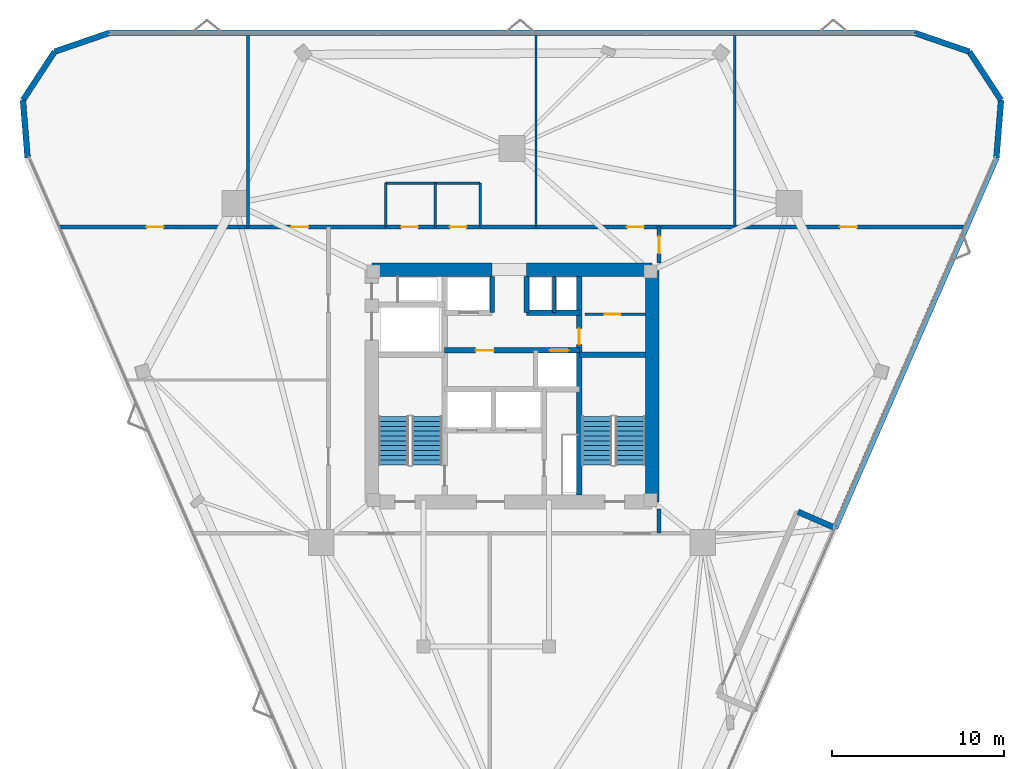
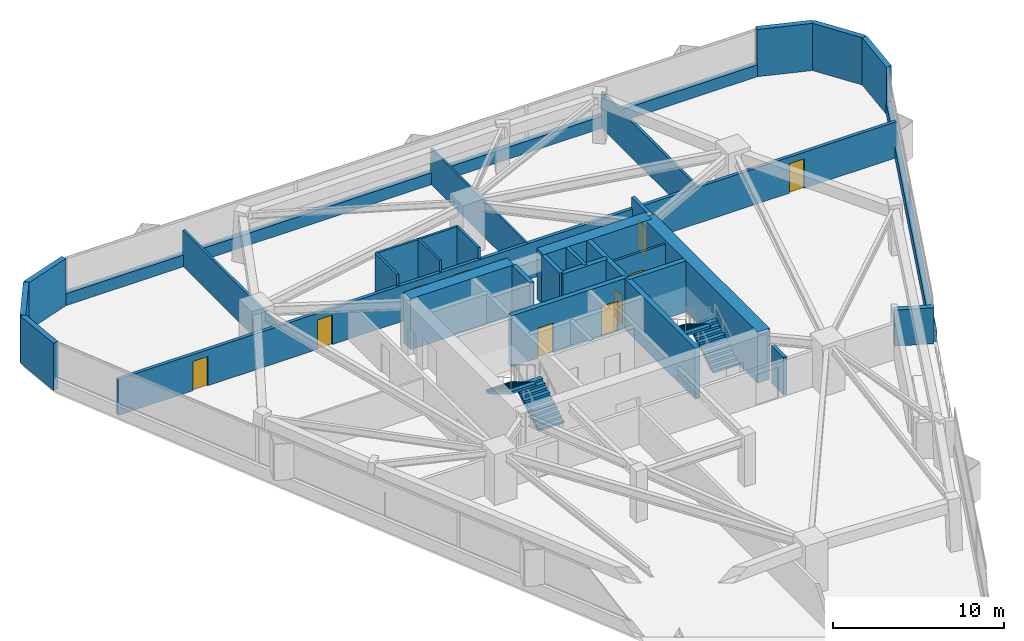
# One storey, part 10 of 11: 30 walls, 11 doors, 4 stair flights, 11 openings, 2 elements without a shape of their own.
"""IFC4 building model written with IfcOpenShell, lengths in metres."""

from ifc_helpers import new_model, si_unit, direction, frame, frame_2d, origin, place, context, subcontext, project, spatial, polyline, rectangle, outline, extrude, material, layer, layer_set, type_object, element, fill, aggregate, save


model = new_model("IFC4")

# Units and contexts
model_context = context("Model", 3, precision=1e-05, world=origin(), true_north=direction((0.0, 1.0)))
body_context = subcontext(model_context, "Body", "Model", "MODEL_VIEW")
ifc_project = project(units=[si_unit("LENGTHUNIT", "METRE"), si_unit("AREAUNIT", "SQUARE_METRE"), si_unit("VOLUMEUNIT", "CUBIC_METRE"), si_unit("PLANEANGLEUNIT", "RADIAN"), si_unit("MASSUNIT", "GRAM", prefix="KILO")], contexts=[model_context])

# Site, building, storey
site_placement = place(None, origin())
site = spatial("IfcSite", under=ifc_project, at=site_placement, CompositionType="ELEMENT")
building_placement = place(site_placement, origin())
building = spatial("IfcBuilding", under=site, at=building_placement, Name="Talyreon Biosciences Tower", CompositionType="ELEMENT")
storey_placement = place(building_placement, frame((0.0, 0.0, 149.10009765625)))
storey = spatial("IfcBuildingStorey", under=building, at=storey_placement, Name="L39", CompositionType="ELEMENT", Elevation=149.10009765625)

# Walls
ifc_material_1 = material(Name="Concrete C50/60", Category="concrete")
ifc_layer_1 = layer(ifc_material_1, 0.219970703125)
ifc_layer_set_1 = layer_set([ifc_layer_1], Name="Concrete C50/60")
wall_type_1 = type_object("IfcWallType", Name="CoreShearWall_220", PredefinedType="SHEAR", material=ifc_layer_set_1)
wall_1_placement = place(storey_placement, frame((68.4599609375, 72.25, 0.0), z_axis=(0.0, 0.0, 1.0), x_axis=(0.0, 1.0, 0.0)))
element("IfcWall", 1, at=wall_1_placement, inside=storey, type_object=wall_type_1, Name="L39 Core Shaft Wall SWPHD", PredefinedType="SHEAR", context=body_context, shape_type="SweptSolid", body=[
    extrude(rectangle(XDim=2.10009765625, YDim=0.219970703125, at=frame_2d((1.050048828125, 0.0))), origin(), (0.0, 0.0, 1.0), 3.64990234375),
])
ifc_layer_2 = layer(ifc_material_1, 0.280029296875)
ifc_layer_set_2 = layer_set([ifc_layer_2], Name="Concrete C50/60")
wall_type_2 = type_object("IfcWallType", Name="CoreShearWall_280", PredefinedType="SHEAR", material=ifc_layer_set_2)
for number, where, z_axis, x_axis, name in (
    (2, (64.85009765625, 72.25, 0.0), (0.0, 0.0, 1.0), (0.0, 1.0, 0.0), "L39 Core Shaft Wall SWTHW"),
    (3, (66.85009765625, 72.25, 0.0), (0.0, 0.0, 1.0), (0.0, 1.0, 0.0), "L39 Core Shaft Wall SWTHE"),
):
    element("IfcWall", number, at=place(storey_placement, frame(where, z_axis=z_axis, x_axis=x_axis)), inside=storey, type_object=wall_type_2, Name=name, PredefinedType="SHEAR", context=body_context, shape_type="SweptSolid", body=[
        extrude(rectangle(XDim=2.10009765625, YDim=0.280029296875, at=frame_2d((1.050048828125, 0.0))), origin(), (0.0, 0.0, 1.0), 3.64990234375),
    ])

# Wall, opening, door
ifc_layer_3 = layer(ifc_material_1, 0.320068359375)
ifc_layer_set_3 = layer_set([ifc_layer_3], Name="Concrete C50/60")
wall_type_3 = type_object("IfcWallType", Name="CoreShearWall_320", PredefinedType="SHEAR", material=ifc_layer_set_3)
wall_2_placement = place(storey_placement, frame((69.909912109375, 61.64990234375, 0.0), z_axis=(0.0, 0.0, 1.0), x_axis=(0.0, 1.0, 0.0)))
wall_2 = element("IfcWall", 4, at=wall_2_placement, inside=storey, type_object=wall_type_3, Name="L39 Core Shaft Wall SW2W", PredefinedType="SHEAR", context=body_context, shape_type="SweptSolid", body=[
    extrude(rectangle(XDim=12.7001953125, YDim=0.320068359375, at=frame_2d((6.35009765625, 0.0))), origin(), (0.0, 0.0, 1.0), 3.64990234375),
])
opening_1_placement = place(wall_2_placement, frame((8.75, 0.0, 0.0)))
opening_1 = element("IfcOpeningElement", 5, at=opening_1_placement, cuts=wall_2, Name="Opening DR-L39-CSRV", PredefinedType="OPENING", context=body_context, shape_type="SweptSolid", body=[
    extrude(rectangle(XDim=0.919921875, YDim=2.050048828125, at=frame_2d((0.4599609375, 1.02490234375))), frame((0.0, 0.169921875, 0.0), z_axis=(0.0, -1.0, 0.0), x_axis=(1.0, 0.0, 0.0)), (0.0, 0.0, 1.0), 0.340087890625),
])
ifc_material_2 = material(Name="Painted steel fire-rated riser door", Category="steel")
door_type_1 = type_object("IfcDoorType", Name="RiserPlantAccessDoor_920x2050", OperationType="NOTDEFINED", PredefinedType="DOOR", material=ifc_material_2)
door_1_placement = place(opening_1_placement, origin())
door_1 = element("IfcDoor", 6, at=door_1_placement, inside=storey, type_object=door_type_1, Name="L39 Core Door DR-L39-CSRV", OperationType="SINGLE_SWING_RIGHT", OverallHeight=2.050048828125, OverallWidth=0.919921875, PredefinedType="DOOR", context=body_context, shape_type="SweptSolid", body=[
    extrude(rectangle(XDim=0.919921875, YDim=2.050048828125, at=frame_2d((0.4599609375, 1.02490234375))), frame((0.0, 0.02490234375, 0.0), z_axis=(0.0, -1.0, 0.0), x_axis=(1.0, 0.0, 0.0)), (0.0, 0.0, 1.0), 0.050048828125),
])
fill(opening_1, door_1)

# Wall
wall_3_placement = place(storey_placement, frame((69.909912109375, 69.81005859375, 0.0), z_axis=(0.0, 0.0, 1.0), x_axis=(1.0, 0.0, 0.0)))
element("IfcWall", 7, at=wall_3_placement, inside=storey, type_object=wall_type_3, Name="L39 Core Shaft Wall SW2N", PredefinedType="SHEAR", context=body_context, shape_type="SweptSolid", body=[
    extrude(rectangle(XDim=3.840087890625, YDim=0.320068359375, at=frame_2d((1.919921875, 0.0))), origin(), (0.0, 0.0, 1.0), 3.64990234375),
])

# Wall, openings, doors
wall_4_placement = place(storey_placement, frame((62.090087890625, 70.050048828125, 0.0), z_axis=(0.0, 0.0, 1.0), x_axis=(1.0, 0.0, 0.0)))
wall_4 = element("IfcWall", 8, at=wall_4_placement, inside=storey, type_object=wall_type_3, Name="L39 Core Shaft Wall SWSPN", PredefinedType="SHEAR", context=body_context, shape_type="SweptSolid", body=[
    extrude(rectangle(XDim=7.81982421875, YDim=0.320068359375, at=frame_2d((3.909912109375, 0.0))), origin(), (0.0, 0.0, 1.0), 3.64990234375),
])
opening_2_placement = place(wall_4_placement, frame((1.800048828125, 0.0, 0.0)))
opening_2 = element("IfcOpeningElement", 9, at=opening_2_placement, cuts=wall_4, Name="Opening DR-L39-PLFREE-A", PredefinedType="OPENING", context=body_context, shape_type="SweptSolid", body=[
    extrude(rectangle(XDim=1.050048828125, YDim=2.14990234375, at=frame_2d((0.52490234375, 1.074951171875))), frame((0.0, 0.169921875, 0.0), z_axis=(0.0, -1.0, 0.0), x_axis=(1.0, 0.0, 0.0)), (0.0, 0.0, 1.0), 0.340087890625),
])
opening_3_placement = place(wall_4_placement, frame((6.10009765625, 0.0, 0.0)))
opening_3 = element("IfcOpeningElement", 10, at=opening_3_placement, cuts=wall_4, Name="Opening LD-L39-PM1", PredefinedType="OPENING", context=body_context, shape_type="SweptSolid", body=[
    extrude(rectangle(XDim=1.10009765625, YDim=2.199951171875, at=frame_2d((0.550048828125, 1.10009765625))), frame((0.0, 0.169921875, 0.0), z_axis=(0.0, -1.0, 0.0), x_axis=(1.0, 0.0, 0.0)), (0.0, 0.0, 1.0), 0.340087890625),
])
ifc_material_3 = material(Name="Acoustic timber-core laboratory door", Category="wood")
door_type_2 = type_object("IfcDoorType", Name="DryLabSingleDoor_1050x2150", OperationType="NOTDEFINED", PredefinedType="DOOR", material=ifc_material_3)
door_2_placement = place(opening_2_placement, origin())
door_2 = element("IfcDoor", 11, at=door_2_placement, inside=storey, type_object=door_type_2, Name="L39 Core Door DR-L39-PLFREE-A", OperationType="SINGLE_SWING_LEFT", OverallHeight=2.14990234375, OverallWidth=1.050048828125, PredefinedType="DOOR", context=body_context, shape_type="SweptSolid", body=[
    extrude(rectangle(XDim=1.050048828125, YDim=2.14990234375, at=frame_2d((0.52490234375, 1.074951171875))), frame((0.0, 0.02490234375, 0.0), z_axis=(0.0, -1.0, 0.0), x_axis=(1.0, 0.0, 0.0)), (0.0, 0.0, 1.0), 0.050048828125),
])
fill(opening_2, door_2)
ifc_material_4 = material(Name="Brushed stainless-steel lift landing door", Category="steel")
door_type_3 = type_object("IfcDoorType", Name="LiftSlidingLandingDoor_1100x2200", OperationType="SLIDING_TO_LEFT", PredefinedType="DOOR", material=ifc_material_4)
door_3_placement = place(opening_3_placement, origin())
door_3 = element("IfcDoor", 12, at=door_3_placement, inside=storey, type_object=door_type_3, Name="L39 Core Door LD-L39-PM1", OperationType="SLIDING_TO_LEFT", OverallHeight=2.199951171875, OverallWidth=1.10009765625, PredefinedType="DOOR", context=body_context, shape_type="SweptSolid", body=[
    extrude(rectangle(XDim=1.10009765625, YDim=2.199951171875, at=frame_2d((0.550048828125, 1.10009765625))), frame((0.0, 0.02490234375, 0.0), z_axis=(0.0, -1.0, 0.0), x_axis=(1.0, 0.0, 0.0)), (0.0, 0.0, 1.0), 0.050048828125),
])
fill(opening_3, door_3)

# Walls
wall_5_placement = place(storey_placement, frame((66.85009765625, 72.25, 0.0), z_axis=(0.0, 0.0, 1.0), x_axis=(1.0, 0.0, 0.0)))
element("IfcWall", 13, at=wall_5_placement, inside=storey, type_object=wall_type_3, Name="L39 Core Shaft Wall SWNPE", PredefinedType="SHEAR", context=body_context, shape_type="SweptSolid", body=[
    extrude(rectangle(XDim=3.059814453125, YDim=0.320068359375, at=frame_2d((1.52978515625, 0.0))), origin(), (0.0, 0.0, 1.0), 3.64990234375),
])
ifc_material_5 = material(Name="Concrete C60/75", Category="concrete")
ifc_layer_4 = layer(ifc_material_5, 0.800048828125)
ifc_layer_set_4 = layer_set([ifc_layer_4], Name="Concrete C60/75")
wall_type_4 = type_object("IfcWallType", Name="CoreShearWall_800", PredefinedType="SHEAR", material=ifc_layer_set_4)
wall_6_placement = place(storey_placement, frame((74.14990234375, 61.25, 0.0), z_axis=(0.0, 0.0, 1.0), x_axis=(0.0, 1.0, 0.0)))
element("IfcWall", 14, at=wall_6_placement, inside=storey, type_object=wall_type_4, Name="L39 Core Shear Wall E", PredefinedType="SHEAR", context=body_context, shape_type="SweptSolid", body=[
    extrude(rectangle(XDim=13.5, YDim=0.800048828125, at=frame_2d((6.75, 0.0))), origin(), (0.0, 0.0, 1.0), 3.64990234375),
])
wall_7_placement = place(storey_placement, frame((74.14990234375, 74.75, 0.0), z_axis=(0.0, 0.0, 1.0), x_axis=(-1.0, 0.0, 0.0)))
element("IfcWall", 15, at=wall_7_placement, inside=storey, type_object=wall_type_4, Name="L39 Core Shear Wall NE", PredefinedType="SHEAR", context=body_context, shape_type="SweptSolid", body=[
    extrude(rectangle(XDim=7.2998046875, YDim=0.800048828125, at=frame_2d((3.64990234375, 0.0))), origin(), (0.0, 0.0, 1.0), 3.64990234375),
])
wall_8_placement = place(storey_placement, frame((64.85009765625, 74.75, 0.0), z_axis=(0.0, 0.0, 1.0), x_axis=(-1.0, 0.0, 0.0)))
element("IfcWall", 16, at=wall_8_placement, inside=storey, type_object=wall_type_4, Name="L39 Core Shear Wall NW", PredefinedType="SHEAR", context=body_context, shape_type="SweptSolid", body=[
    extrude(rectangle(XDim=7.0, YDim=0.800048828125, at=frame_2d((3.5, 0.0))), origin(), (0.0, 0.0, 1.0), 3.64990234375),
])

# Wall, openings, doors
ifc_material_6 = material(Name="Gypsum fireboard acoustic stud", Category="gypsum")
ifc_layer_5 = layer(ifc_material_6, 0.219970703125)
ifc_layer_set_5 = layer_set([ifc_layer_5], Name="Gypsum fireboard acoustic stud")
wall_type_5 = type_object("IfcWallType", Name="CorridorRatedPartition_220", PredefinedType="PARTITIONING", material=ifc_layer_set_5)
wall_9_placement = place(storey_placement, frame((39.682861328125, 77.22998046875, 0.0), z_axis=(0.0, 0.0, 1.0), x_axis=(1.0, 0.0, 0.0)))
wall_9 = element("IfcWall", 17, at=wall_9_placement, inside=storey, type_object=wall_type_5, Name="L39 Interior Wall IW-L39-COR-N", PredefinedType="PARTITIONING", context=body_context, shape_type="SweptSolid", body=[
    extrude(rectangle(XDim=52.63427734375, YDim=0.219970703125, at=frame_2d((26.317138671875, 0.0))), origin(), (0.0, 0.0, 1.0), 2.574951171875),
])
opening_4_placement = place(wall_9_placement, frame((19.876953125, 0.0, 0.0)))
opening_4 = element("IfcOpeningElement", 18, at=opening_4_placement, cuts=wall_9, Name="Opening DR-L39-WC", PredefinedType="OPENING", context=body_context, shape_type="SweptSolid", body=[
    extrude(rectangle(XDim=0.97998046875, YDim=2.10009765625, at=frame_2d((0.489990234375, 1.050048828125))), frame((0.0, 0.119873046875, 0.0), z_axis=(0.0, -1.0, 0.0), x_axis=(1.0, 0.0, 0.0)), (0.0, 0.0, 1.0), 0.239990234375),
])
opening_5_placement = place(wall_9_placement, frame((22.701904296875, 0.0, 0.0)))
opening_5 = element("IfcOpeningElement", 19, at=opening_5_placement, cuts=wall_9, Name="Opening DR-L39-AWC", PredefinedType="OPENING", context=body_context, shape_type="SweptSolid", body=[
    extrude(rectangle(XDim=0.97998046875, YDim=2.10009765625, at=frame_2d((0.489990234375, 1.050048828125))), frame((0.0, 0.119873046875, 0.0), z_axis=(0.0, -1.0, 0.0), x_axis=(1.0, 0.0, 0.0)), (0.0, 0.0, 1.0), 0.239990234375),
])
opening_6_placement = place(wall_9_placement, frame((5.06201171875, 0.0, 0.0)))
opening_6 = element("IfcOpeningElement", 20, at=opening_6_placement, cuts=wall_9, Name="Opening DR-L39-N1A", PredefinedType="OPENING", context=body_context, shape_type="SweptSolid", body=[
    extrude(rectangle(XDim=1.0, YDim=2.10009765625, at=frame_2d((0.5, 1.050048828125))), frame((0.0, 0.119873046875, 0.0), z_axis=(0.0, -1.0, 0.0), x_axis=(1.0, 0.0, 0.0)), (0.0, 0.0, 1.0), 0.239990234375),
])
opening_7_placement = place(wall_9_placement, frame((13.47412109375, 0.0, 0.0)))
opening_7 = element("IfcOpeningElement", 21, at=opening_7_placement, cuts=wall_9, Name="Opening DR-L39-N2A", PredefinedType="OPENING", context=body_context, shape_type="SweptSolid", body=[
    extrude(rectangle(XDim=1.0, YDim=2.10009765625, at=frame_2d((0.5, 1.050048828125))), frame((0.0, 0.119873046875, 0.0), z_axis=(0.0, -1.0, 0.0), x_axis=(1.0, 0.0, 0.0)), (0.0, 0.0, 1.0), 0.239990234375),
])
opening_8_placement = place(wall_9_placement, frame((32.989013671875, 0.0, 0.0)))
opening_8 = element("IfcOpeningElement", 22, at=opening_8_placement, cuts=wall_9, Name="Opening DR-L39-N3A", PredefinedType="OPENING", context=body_context, shape_type="SweptSolid", body=[
    extrude(rectangle(XDim=1.0, YDim=2.10009765625, at=frame_2d((0.5, 1.050048828125))), frame((0.0, 0.119873046875, 0.0), z_axis=(0.0, -1.0, 0.0), x_axis=(1.0, 0.0, 0.0)), (0.0, 0.0, 1.0), 0.239990234375),
])
opening_9_placement = place(wall_9_placement, frame((45.373046875, 0.0, 0.0)))
opening_9 = element("IfcOpeningElement", 23, at=opening_9_placement, cuts=wall_9, Name="Opening DR-L39-N4A", PredefinedType="OPENING", context=body_context, shape_type="SweptSolid", body=[
    extrude(rectangle(XDim=1.0, YDim=2.10009765625, at=frame_2d((0.5, 1.050048828125))), frame((0.0, 0.119873046875, 0.0), z_axis=(0.0, -1.0, 0.0), x_axis=(1.0, 0.0, 0.0)), (0.0, 0.0, 1.0), 0.239990234375),
])
ifc_material_7 = material(Name="Laminate moisture-resistant door", Category="wood")
door_type_4 = type_object("IfcDoorType", Name="AccessibleToiletDoor_980x2100", OperationType="NOTDEFINED", PredefinedType="DOOR", material=ifc_material_7)
door_4_placement = place(opening_4_placement, origin())
door_4 = element("IfcDoor", 24, at=door_4_placement, inside=storey, type_object=door_type_4, Name="L39 Interior Door DR-L39-WC", OperationType="SINGLE_SWING_LEFT", OverallHeight=2.10009765625, OverallWidth=0.97998046875, PredefinedType="DOOR", context=body_context, shape_type="SweptSolid", body=[
    extrude(rectangle(XDim=0.97998046875, YDim=2.10009765625, at=frame_2d((0.489990234375, 1.050048828125))), frame((0.0, 0.02490234375, 0.0), z_axis=(0.0, -1.0, 0.0), x_axis=(1.0, 0.0, 0.0)), (0.0, 0.0, 1.0), 0.050048828125),
])
fill(opening_4, door_4)
door_5_placement = place(opening_5_placement, origin())
door_5 = element("IfcDoor", 25, at=door_5_placement, inside=storey, type_object=door_type_4, Name="L39 Interior Door DR-L39-AWC", OperationType="SINGLE_SWING_RIGHT", OverallHeight=2.10009765625, OverallWidth=0.97998046875, PredefinedType="DOOR", context=body_context, shape_type="SweptSolid", body=[
    extrude(rectangle(XDim=0.97998046875, YDim=2.10009765625, at=frame_2d((0.489990234375, 1.050048828125))), frame((0.0, 0.02490234375, 0.0), z_axis=(0.0, -1.0, 0.0), x_axis=(1.0, 0.0, 0.0)), (0.0, 0.0, 1.0), 0.050048828125),
])
fill(opening_5, door_5)
ifc_material_8 = material(Name="Acoustic oak veneer office door", Category="wood")
door_type_5 = type_object("IfcDoorType", Name="WriteupOfficeDoor_1000x2100", OperationType="NOTDEFINED", PredefinedType="DOOR", material=ifc_material_8)
door_6_placement = place(opening_6_placement, origin())
door_6 = element("IfcDoor", 26, at=door_6_placement, inside=storey, type_object=door_type_5, Name="L39 Interior Door DR-L39-N1A", OperationType="SINGLE_SWING_LEFT", OverallHeight=2.10009765625, OverallWidth=1.0, PredefinedType="DOOR", context=body_context, shape_type="SweptSolid", body=[
    extrude(rectangle(XDim=1.0, YDim=2.10009765625, at=frame_2d((0.5, 1.050048828125))), frame((0.0, 0.02490234375, 0.0), z_axis=(0.0, -1.0, 0.0), x_axis=(1.0, 0.0, 0.0)), (0.0, 0.0, 1.0), 0.050048828125),
])
fill(opening_6, door_6)
door_7_placement = place(opening_7_placement, origin())
door_7 = element("IfcDoor", 27, at=door_7_placement, inside=storey, type_object=door_type_5, Name="L39 Interior Door DR-L39-N2A", OperationType="SINGLE_SWING_RIGHT", OverallHeight=2.10009765625, OverallWidth=1.0, PredefinedType="DOOR", context=body_context, shape_type="SweptSolid", body=[
    extrude(rectangle(XDim=1.0, YDim=2.10009765625, at=frame_2d((0.5, 1.050048828125))), frame((0.0, 0.02490234375, 0.0), z_axis=(0.0, -1.0, 0.0), x_axis=(1.0, 0.0, 0.0)), (0.0, 0.0, 1.0), 0.050048828125),
])
fill(opening_7, door_7)
door_8_placement = place(opening_8_placement, origin())
door_8 = element("IfcDoor", 28, at=door_8_placement, inside=storey, type_object=door_type_5, Name="L39 Interior Door DR-L39-N3A", OperationType="SINGLE_SWING_RIGHT", OverallHeight=2.10009765625, OverallWidth=1.0, PredefinedType="DOOR", context=body_context, shape_type="SweptSolid", body=[
    extrude(rectangle(XDim=1.0, YDim=2.10009765625, at=frame_2d((0.5, 1.050048828125))), frame((0.0, 0.02490234375, 0.0), z_axis=(0.0, -1.0, 0.0), x_axis=(1.0, 0.0, 0.0)), (0.0, 0.0, 1.0), 0.050048828125),
])
fill(opening_8, door_8)
door_9_placement = place(opening_9_placement, origin())
door_9 = element("IfcDoor", 29, at=door_9_placement, inside=storey, type_object=door_type_5, Name="L39 Interior Door DR-L39-N4A", OperationType="SINGLE_SWING_LEFT", OverallHeight=2.10009765625, OverallWidth=1.0, PredefinedType="DOOR", context=body_context, shape_type="SweptSolid", body=[
    extrude(rectangle(XDim=1.0, YDim=2.10009765625, at=frame_2d((0.5, 1.050048828125))), frame((0.0, 0.02490234375, 0.0), z_axis=(0.0, -1.0, 0.0), x_axis=(1.0, 0.0, 0.0)), (0.0, 0.0, 1.0), 0.050048828125),
])
fill(opening_9, door_9)

# Wall, opening, door
wall_10_placement = place(storey_placement, frame((74.550048828125, 75.14990234375, 0.0), z_axis=(0.0, 0.0, 1.0), x_axis=(0.0, 1.0, 0.0)))
wall_10 = element("IfcWall", 30, at=wall_10_placement, inside=storey, type_object=wall_type_5, Name="L39 Interior Wall IW-L39-ECAP-N", PredefinedType="PARTITIONING", context=body_context, shape_type="SweptSolid", body=[
    extrude(rectangle(XDim=2.080078125, YDim=0.219970703125, at=frame_2d((1.0400390625, 0.0))), origin(), (0.0, 0.0, 1.0), 3.375),
])
opening_10_placement = place(wall_10_placement, frame((0.5400390625, 0.0, 0.0)))
opening_10 = element("IfcOpeningElement", 31, at=opening_10_placement, cuts=wall_10, Name="Opening DR-L39-E1A", PredefinedType="OPENING", context=body_context, shape_type="SweptSolid", body=[
    extrude(rectangle(XDim=1.0, YDim=2.10009765625, at=frame_2d((0.5, 1.050048828125))), frame((0.0, 0.119873046875, 0.0), z_axis=(0.0, -1.0, 0.0), x_axis=(1.0, 0.0, 0.0)), (0.0, 0.0, 1.0), 0.239990234375),
])
door_10_placement = place(opening_10_placement, origin())
door_10 = element("IfcDoor", 32, at=door_10_placement, inside=storey, type_object=door_type_5, Name="L39 Interior Door DR-L39-E1A", OperationType="SINGLE_SWING_LEFT", OverallHeight=2.10009765625, OverallWidth=1.0, PredefinedType="DOOR", context=body_context, shape_type="SweptSolid", body=[
    extrude(rectangle(XDim=1.0, YDim=2.10009765625, at=frame_2d((0.5, 1.050048828125))), frame((0.0, 0.02490234375, 0.0), z_axis=(0.0, -1.0, 0.0), x_axis=(1.0, 0.0, 0.0)), (0.0, 0.0, 1.0), 0.050048828125),
])
fill(opening_10, door_10)

# Wall
wall_11_placement = place(storey_placement, frame((74.550048828125, 59.429931640625, 0.0), z_axis=(0.0, 0.0, 1.0), x_axis=(0.0, 1.0, 0.0)))
element("IfcWall", 33, at=wall_11_placement, inside=storey, type_object=wall_type_5, Name="L39 Interior Wall IW-L39-ECAP-S", PredefinedType="PARTITIONING", context=body_context, shape_type="SweptSolid", body=[
    extrude(rectangle(XDim=1.420166015625, YDim=0.219970703125, at=frame_2d((0.7099609375, 0.0))), origin(), (0.0, 0.0, 1.0), 2.704833984375),
])

# Wall, opening, door
ifc_material_9 = material(Name="Gypsum acoustic stud partition", Category="gypsum")
ifc_layer_6 = layer(ifc_material_9, 0.159912109375)
ifc_layer_set_6 = layer_set([ifc_layer_6], Name="Gypsum acoustic stud partition")
wall_type_6 = type_object("IfcWallType", Name="LabSeparationPartition_160", PredefinedType="PARTITIONING", material=ifc_layer_set_6)
wall_12_placement = place(storey_placement, frame((70.22998046875, 72.14990234375, 0.0), z_axis=(0.0, 0.0, 1.0), x_axis=(1.0, 0.0, 0.0)))
wall_12 = element("IfcWall", 34, at=wall_12_placement, inside=storey, type_object=wall_type_6, Name="L39 Interior Wall IW-L39-CSRV-H", PredefinedType="PARTITIONING", context=body_context, shape_type="SweptSolid", body=[
    extrude(rectangle(XDim=3.52001953125, YDim=0.159912109375, at=frame_2d((1.760009765625, 0.0))), origin(), (0.0, 0.0, 1.0), 3.375),
])
opening_11_placement = place(wall_12_placement, frame((1.14990234375, 0.0, 0.0)))
opening_11 = element("IfcOpeningElement", 35, at=opening_11_placement, cuts=wall_12, Name="Opening DR-L39-CSRV-I", PredefinedType="OPENING", context=body_context, shape_type="SweptSolid", body=[
    extrude(rectangle(XDim=0.919921875, YDim=2.050048828125, at=frame_2d((0.4599609375, 1.02490234375))), frame((0.0, 0.08984375, 0.0), z_axis=(0.0, -1.0, 0.0), x_axis=(1.0, 0.0, 0.0)), (0.0, 0.0, 1.0), 0.179931640625),
])
door_11_placement = place(opening_11_placement, origin())
door_11 = element("IfcDoor", 36, at=door_11_placement, inside=storey, type_object=door_type_1, Name="L39 Interior Door DR-L39-CSRV-I", OperationType="SINGLE_SWING_LEFT", OverallHeight=2.050048828125, OverallWidth=0.919921875, PredefinedType="DOOR", context=body_context, shape_type="SweptSolid", body=[
    extrude(rectangle(XDim=0.919921875, YDim=2.050048828125, at=frame_2d((0.4599609375, 1.02490234375))), frame((0.0, 0.02490234375, 0.0), z_axis=(0.0, -1.0, 0.0), x_axis=(1.0, 0.0, 0.0)), (0.0, 0.0, 1.0), 0.050048828125),
])
fill(opening_11, door_11)

# Walls
for number, where, z_axis, x_axis, name in (
    (37, (50.656005859375, 77.22998046875, 0.0), (0.0, 0.0, 1.0), (0.0, 1.0, 0.0), "L39 Interior Wall IW-L39-NDIV1"),
    (38, (78.944091796875, 77.22998046875, 0.0), (0.0, 0.0, 1.0), (0.0, 1.0, 0.0), "L39 Interior Wall IW-L39-NDIV3"),
):
    element("IfcWall", number, at=place(storey_placement, frame(where, z_axis=z_axis, x_axis=x_axis)), inside=storey, type_object=wall_type_6, Name=name, PredefinedType="PARTITIONING", context=body_context, shape_type="SweptSolid", body=[
        extrude(rectangle(XDim=11.204345703125, YDim=0.159912109375, at=frame_2d((5.60205078125, 0.0))), origin(), (0.0, 0.0, 1.0), 2.574951171875),
    ])
ifc_layer_7 = layer(ifc_material_9, 0.1298828125)
ifc_layer_set_7 = layer_set([ifc_layer_7], Name="Gypsum acoustic stud partition")
wall_type_7 = type_object("IfcWallType", Name="OfficeWriteupPartition_130", PredefinedType="PARTITIONING", material=ifc_layer_set_7)
wall_13_placement = place(storey_placement, frame((67.39990234375, 77.22998046875, 0.0), z_axis=(0.0, 0.0, 1.0), x_axis=(0.0, 1.0, 0.0)))
element("IfcWall", 39, at=wall_13_placement, inside=storey, type_object=wall_type_7, Name="L39 Interior Wall IW-L39-NDIV2", PredefinedType="PARTITIONING", context=body_context, shape_type="SweptSolid", body=[
    extrude(rectangle(XDim=11.204345703125, YDim=0.1298828125, at=frame_2d((5.60205078125, 0.0))), origin(), (0.0, 0.0, 1.0), 2.574951171875),
])
ifc_material_10 = material(Name="Precast concrete C45/55", Category="concrete")
ifc_layer_8 = layer(ifc_material_10, 0.340087890625)
ifc_layer_set_8 = layer_set([ifc_layer_8], Name="Precast concrete C45/55")
wall_type_8 = type_object("IfcWallType", Name="PrecastConcreteSpandrelWall_340", PredefinedType="STANDARD", material=ifc_layer_set_8)
for number, where, z_axis, x_axis, name in (
    (40, (37.841064453125, 81.240966796875, 0.0), (0.0, 0.0, 1.0), (-0.080769230079, 0.996732828532, 0.0), "L39 Rounded-Corner Concrete Pier 00"),
    (41, (37.568603515625, 84.603271484375, 0.0), (0.0, 0.0, 1.0), (0.547867350875, 0.836565219123, 0.0), "L39 Rounded-Corner Concrete Pier 01"),
    (42, (39.416748046875, 87.42529296875, 0.0), (0.0, 0.0, 1.0), (0.94594911795, 0.324315072497, 0.0), "L39 Rounded-Corner Concrete Pier 02"),
):
    element("IfcWall", number, at=place(storey_placement, frame(where, z_axis=z_axis, x_axis=x_axis)), inside=storey, type_object=wall_type_8, Name=name, PredefinedType="STANDARD", context=body_context, shape_type="SweptSolid", body=[
        extrude(rectangle(XDim=3.373291015625, YDim=0.340087890625, at=frame_2d((1.6865234375, 0.0))), origin(), (0.0, 0.0, 1.0), 3.375),
    ])
wall_14_placement = place(storey_placement, frame((42.607666015625, 88.519287109375, 0.0), z_axis=(0.0, 0.0, 1.0), x_axis=(1.0, 0.0, 0.0)))
element("IfcWall", 43, at=wall_14_placement, inside=storey, type_object=wall_type_8, Name="L39 Expressed Concrete Sill Wall 03", PredefinedType="STANDARD", context=body_context, shape_type="SweptSolid", body=[
    extrude(rectangle(XDim=46.78466796875, YDim=0.340087890625, at=frame_2d((23.392333984375, 0.0))), origin(), (0.0, 0.0, 1.0), 0.849853515625),
])
for number, where, z_axis, x_axis, name in (
    (44, (89.392333984375, 88.519287109375, 0.0), (0.0, 0.0, 1.0), (0.94594911795, -0.324315072497, 0.0), "L39 Rounded-Corner Concrete Pier 04"),
    (45, (92.583251953125, 87.42529296875, 0.0), (0.0, 0.0, 1.0), (0.547867350875, -0.836565219123, 0.0), "L39 Rounded-Corner Concrete Pier 05"),
    (46, (94.431396484375, 84.603271484375, 0.0), (0.0, 0.0, 1.0), (-0.080769230079, -0.996732828532, 0.0), "L39 Rounded-Corner Concrete Pier 06"),
):
    element("IfcWall", number, at=place(storey_placement, frame(where, z_axis=z_axis, x_axis=x_axis)), inside=storey, type_object=wall_type_8, Name=name, PredefinedType="STANDARD", context=body_context, shape_type="SweptSolid", body=[
        extrude(rectangle(XDim=3.373291015625, YDim=0.340087890625, at=frame_2d((1.6865234375, 0.0))), origin(), (0.0, 0.0, 1.0), 3.375),
    ])
wall_15_placement = place(storey_placement, frame((94.158935546875, 81.240966796875, 0.0), z_axis=(0.0, 0.0, 1.0), x_axis=(-0.399698418424, -0.916646700921, 0.0)))
element("IfcWall", 47, at=wall_15_placement, inside=storey, type_object=wall_type_8, Name="L39 Expressed Concrete Sill Wall 07", PredefinedType="STANDARD", context=body_context, shape_type="SweptSolid", body=[
    extrude(rectangle(XDim=23.46240234375, YDim=0.340087890625, at=frame_2d((11.731201171875, 0.0))), origin(), (0.0, 0.0, 1.0), 0.849853515625),
])
wall_16_placement = place(storey_placement, frame((84.781005859375, 59.734130859375, 0.0), z_axis=(0.0, 0.0, 1.0), x_axis=(-0.916654976367, 0.399679439429, 0.0)))
element("IfcWall", 48, at=wall_16_placement, inside=storey, type_object=wall_type_8, Name="L39 Terrace Backing Concrete Wall 08", PredefinedType="STANDARD", context=body_context, shape_type="SweptSolid", body=[
    extrude(rectangle(XDim=2.349853515625, YDim=0.340087890625, at=frame_2d((1.1748046875, 0.0))), origin(), (0.0, 0.0, 1.0), 2.574951171875),
])
ifc_material_11 = material(Name="Moisture-resistant cement-board stud", Category="gypsum")
ifc_layer_9 = layer(ifc_material_11, 0.14501953125)
ifc_layer_set_9 = layer_set([ifc_layer_9], Name="Moisture-resistant cement-board stud")
wall_type_9 = type_object("IfcWallType", Name="WetRoomPartition_145", PredefinedType="PARTITIONING", material=ifc_layer_set_9)
for number, where, z_axis, x_axis, name in (
    (49, (58.64990234375, 77.22998046875, 0.0), (0.0, 0.0, 1.0), (0.0, 1.0, 0.0), "L39 Interior Wall IW-L39-WCL"),
    (50, (61.52490234375, 77.22998046875, 0.0), (0.0, 0.0, 1.0), (0.0, 1.0, 0.0), "L39 Interior Wall IW-L39-WCM"),
    (51, (64.14990234375, 77.22998046875, 0.0), (0.0, 0.0, 1.0), (0.0, 1.0, 0.0), "L39 Interior Wall IW-L39-WCR"),
):
    element("IfcWall", number, at=place(storey_placement, frame(where, z_axis=z_axis, x_axis=x_axis)), inside=storey, type_object=wall_type_9, Name=name, PredefinedType="PARTITIONING", context=body_context, shape_type="SweptSolid", body=[
        extrude(rectangle(XDim=2.550048828125, YDim=0.14501953125, at=frame_2d((1.27490234375, 0.0))), origin(), (0.0, 0.0, 1.0), 3.375),
    ])
wall_17_placement = place(storey_placement, frame((58.64990234375, 79.780029296875, 0.0), z_axis=(0.0, 0.0, 1.0), x_axis=(1.0, 0.0, 0.0)))
element("IfcWall", 52, at=wall_17_placement, inside=storey, type_object=wall_type_9, Name="L39 Interior Wall IW-L39-WCT", PredefinedType="PARTITIONING", context=body_context, shape_type="SweptSolid", body=[
    extrude(rectangle(XDim=5.5, YDim=0.14501953125, at=frame_2d((2.75, 0.0))), origin(), (0.0, 0.0, 1.0), 3.375),
])

# Stair, stair flights
ifc_material_12 = material(Name="Concrete C40/50", Category="concrete")
stair_type = type_object("IfcStairType", Name="DoglegEscapeStair_3650", PredefinedType="HALF_TURN_STAIR", material=ifc_material_12)
stair_1_placement = place(storey_placement, origin())
stair_1 = element("IfcStair", 53, at=stair_1_placement, inside=storey, type_object=stair_type, Name="L39 Core Escape Stair 1", PredefinedType="HALF_TURN_STAIR")
stair_flight_type = type_object("IfcStairFlightType", Name="PrecastStairFlight_3650", PredefinedType="STRAIGHT", material=ifc_material_12)
stair_flight_1_placement = place(storey_placement, frame((61.06005859375, 63.39990234375, 0.0), z_axis=(0.0, 0.0, 1.0), x_axis=(0.0, 1.0, 0.0)))
stair_flight_1 = element("IfcStairFlight", 54, at=stair_flight_1_placement, type_object=stair_flight_type, Name="ST-1 flight 1", NumberOfRisers=11, NumberOfTreads=10, PredefinedType="STRAIGHT", RiserHeight=0.165909091, TreadLength=0.28, context=body_context, shape_type="SweptSolid", body=[
    extrude(outline(polyline([(0.0, 0.0), (0.0, 0.166015625), (0.280029296875, 0.166015625), (0.280029296875, 0.331787109375), (0.56005859375, 0.331787109375), (0.56005859375, 0.497802734375), (0.840087890625, 0.497802734375), (0.840087890625, 0.66357421875), (1.1201171875, 0.66357421875), (1.1201171875, 0.82958984375), (1.39990234375, 0.82958984375), (1.39990234375, 0.995361328125), (1.679931640625, 0.995361328125), (1.679931640625, 1.161376953125), (1.9599609375, 1.161376953125), (1.9599609375, 1.327392578125), (2.239990234375, 1.327392578125), (2.239990234375, 1.4931640625), (2.52001953125, 1.4931640625), (2.52001953125, 1.6591796875), (2.800048828125, 1.6591796875), (2.800048828125, 1.824951171875), (2.800048828125, 1.48486328125), (0.2939453125, 0.0), (0.0, 0.0)])), frame((0.0, 0.8701171875, 0.0), z_axis=(0.0, -1.0, 0.0), x_axis=(1.0, 0.0, 0.0)), (0.0, 0.0, 1.0), 1.739990234375),
])
stair_flight_2_placement = place(storey_placement, frame((59.1201171875, 66.199951171875, 1.824951171875), z_axis=(0.0, 0.0, 1.0), x_axis=(0.0, -1.0, 0.0)))
stair_flight_2 = element("IfcStairFlight", 55, at=stair_flight_2_placement, type_object=stair_flight_type, Name="ST-1 flight 2", NumberOfRisers=11, NumberOfTreads=10, PredefinedType="STRAIGHT", RiserHeight=0.165909091, TreadLength=0.28, context=body_context, shape_type="SweptSolid", body=[
    extrude(outline(polyline([(0.0, 0.0), (0.0, 0.166015625), (0.280029296875, 0.166015625), (0.280029296875, 0.331787109375), (0.56005859375, 0.331787109375), (0.56005859375, 0.497802734375), (0.840087890625, 0.497802734375), (0.840087890625, 0.66357421875), (1.1201171875, 0.66357421875), (1.1201171875, 0.82958984375), (1.39990234375, 0.82958984375), (1.39990234375, 0.995361328125), (1.679931640625, 0.995361328125), (1.679931640625, 1.161376953125), (1.9599609375, 1.161376953125), (1.9599609375, 1.327392578125), (2.239990234375, 1.327392578125), (2.239990234375, 1.4931640625), (2.52001953125, 1.4931640625), (2.52001953125, 1.6591796875), (2.800048828125, 1.6591796875), (2.800048828125, 1.824951171875), (2.800048828125, 1.48486328125), (0.2939453125, 0.0), (0.0, 0.0)])), frame((0.0, 0.8701171875, 0.0), z_axis=(0.0, -1.0, 0.0), x_axis=(1.0, 0.0, 0.0)), (0.0, 0.0, 1.0), 1.739990234375),
])
aggregate(stair_1, [stair_flight_1, stair_flight_2])

stair_2_placement = place(storey_placement, origin())
stair_2 = element("IfcStair", 56, at=stair_2_placement, inside=storey, type_object=stair_type, Name="L39 Core Escape Stair 2", PredefinedType="HALF_TURN_STAIR")
stair_flight_3_placement = place(storey_placement, frame((72.8798828125, 63.39990234375, 0.0), z_axis=(0.0, 0.0, 1.0), x_axis=(0.0, 1.0, 0.0)))
stair_flight_3 = element("IfcStairFlight", 57, at=stair_flight_3_placement, type_object=stair_flight_type, Name="ST-2 flight 1", NumberOfRisers=11, NumberOfTreads=10, PredefinedType="STRAIGHT", RiserHeight=0.165909091, TreadLength=0.28, context=body_context, shape_type="SweptSolid", body=[
    extrude(outline(polyline([(0.0, 0.0), (0.0, 0.166015625), (0.280029296875, 0.166015625), (0.280029296875, 0.331787109375), (0.56005859375, 0.331787109375), (0.56005859375, 0.497802734375), (0.840087890625, 0.497802734375), (0.840087890625, 0.66357421875), (1.1201171875, 0.66357421875), (1.1201171875, 0.82958984375), (1.39990234375, 0.82958984375), (1.39990234375, 0.995361328125), (1.679931640625, 0.995361328125), (1.679931640625, 1.161376953125), (1.9599609375, 1.161376953125), (1.9599609375, 1.327392578125), (2.239990234375, 1.327392578125), (2.239990234375, 1.4931640625), (2.52001953125, 1.4931640625), (2.52001953125, 1.6591796875), (2.800048828125, 1.6591796875), (2.800048828125, 1.824951171875), (2.800048828125, 1.48486328125), (0.2939453125, 0.0), (0.0, 0.0)])), frame((0.0, 0.8701171875, 0.0), z_axis=(0.0, -1.0, 0.0), x_axis=(1.0, 0.0, 0.0)), (0.0, 0.0, 1.0), 1.739990234375),
])
stair_flight_4_placement = place(storey_placement, frame((70.93994140625, 66.199951171875, 1.824951171875), z_axis=(0.0, 0.0, 1.0), x_axis=(0.0, -1.0, 0.0)))
stair_flight_4 = element("IfcStairFlight", 58, at=stair_flight_4_placement, type_object=stair_flight_type, Name="ST-2 flight 2", NumberOfRisers=11, NumberOfTreads=10, PredefinedType="STRAIGHT", RiserHeight=0.165909091, TreadLength=0.28, context=body_context, shape_type="SweptSolid", body=[
    extrude(outline(polyline([(0.0, 0.0), (0.0, 0.166015625), (0.280029296875, 0.166015625), (0.280029296875, 0.331787109375), (0.56005859375, 0.331787109375), (0.56005859375, 0.497802734375), (0.840087890625, 0.497802734375), (0.840087890625, 0.66357421875), (1.1201171875, 0.66357421875), (1.1201171875, 0.82958984375), (1.39990234375, 0.82958984375), (1.39990234375, 0.995361328125), (1.679931640625, 0.995361328125), (1.679931640625, 1.161376953125), (1.9599609375, 1.161376953125), (1.9599609375, 1.327392578125), (2.239990234375, 1.327392578125), (2.239990234375, 1.4931640625), (2.52001953125, 1.4931640625), (2.52001953125, 1.6591796875), (2.800048828125, 1.6591796875), (2.800048828125, 1.824951171875), (2.800048828125, 1.48486328125), (0.2939453125, 0.0), (0.0, 0.0)])), frame((0.0, 0.8701171875, 0.0), z_axis=(0.0, -1.0, 0.0), x_axis=(1.0, 0.0, 0.0)), (0.0, 0.0, 1.0), 1.739990234375),
])
aggregate(stair_2, [stair_flight_3, stair_flight_4])

save(model, "model.ifc")
